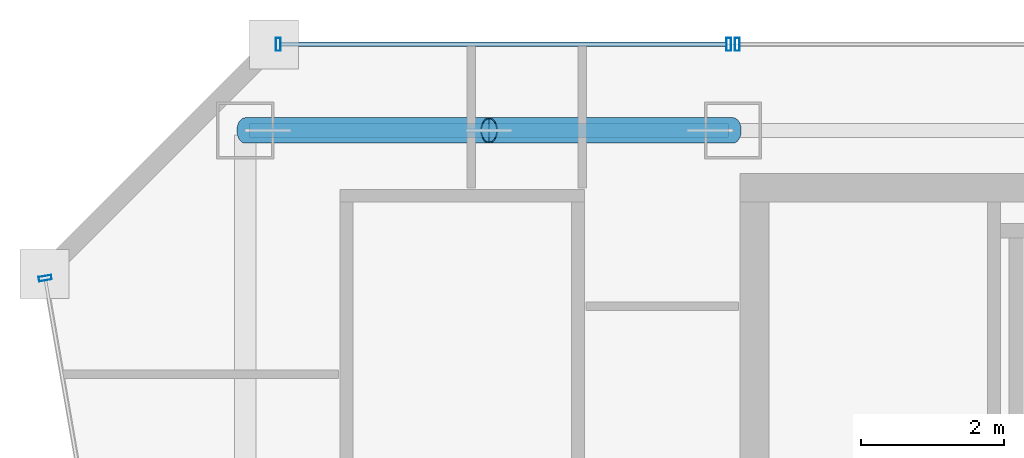
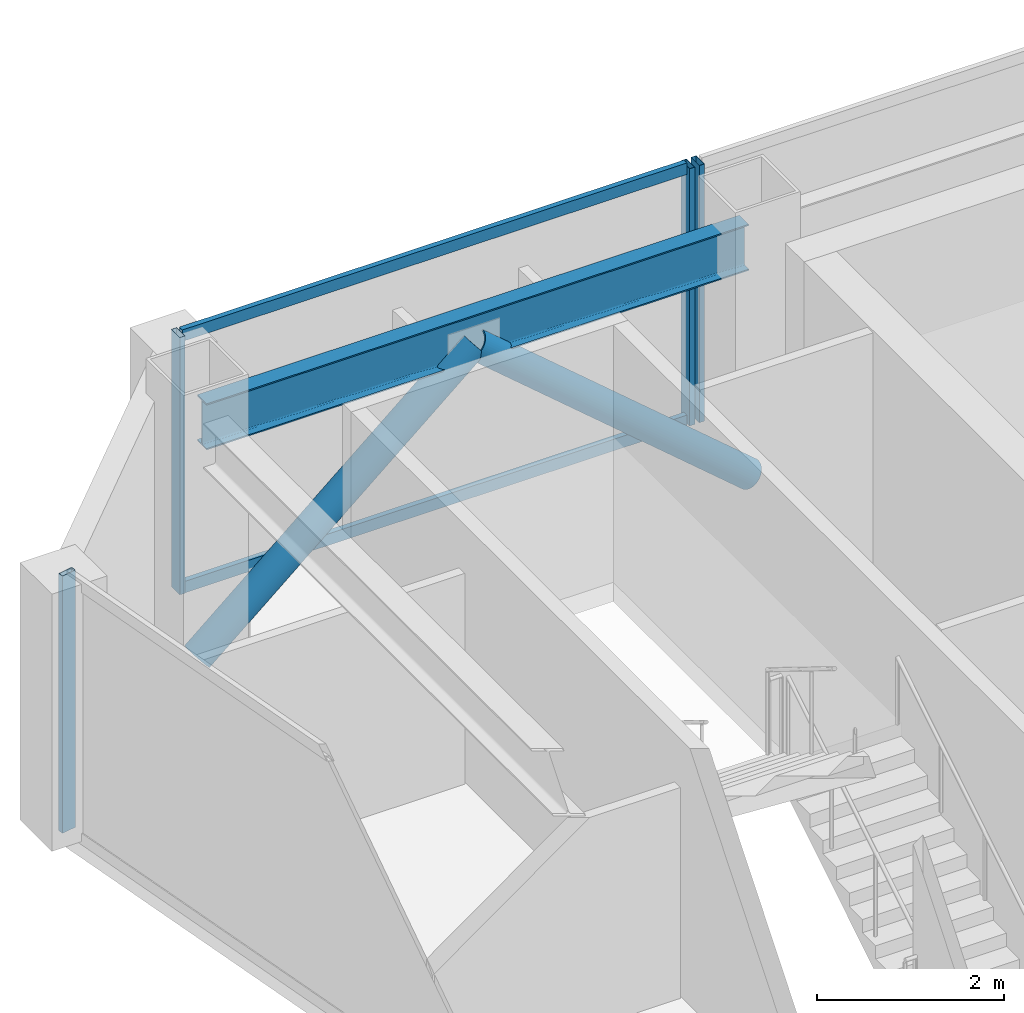
# One storey, part 21 of 35: 8 members, 1 beam, 3 elements without a shape of their own.
"""IFC4 building model written with IfcOpenShell, lengths in metres."""

from ifc_helpers import new_model, si_unit, direction, frame, origin, origin_2d, place, context, subcontext, project, spatial, hollow_rectangle, hollow_circle, i_section, extrude, material, material_profile, profile_set, type_object, element, aggregate, save


model = new_model("IFC4")

# Units and contexts
model_context = context("Model", 3, precision=1e-05, world=origin(), true_north=direction((0.0, 1.0)))
body_context = subcontext(model_context, "Body", "Model", "MODEL_VIEW")
ifc_project = project(units=[si_unit("LENGTHUNIT", "METRE"), si_unit("AREAUNIT", "SQUARE_METRE"), si_unit("VOLUMEUNIT", "CUBIC_METRE"), si_unit("PLANEANGLEUNIT", "RADIAN"), si_unit("MASSUNIT", "GRAM", prefix="KILO")], contexts=[model_context])

# Site, building, storey
site_placement = place(None, origin())
site = spatial("IfcSite", under=ifc_project, at=site_placement, CompositionType="ELEMENT")
building_placement = place(site_placement, origin())
building = spatial("IfcBuilding", under=site, at=building_placement, Name="Saevonmaru Cultural Tower", CompositionType="ELEMENT")
storey_placement = place(building_placement, frame((0.0, 0.0, 249.60009765625)))
storey = spatial("IfcBuildingStorey", under=building, at=storey_placement, Name="L58", CompositionType="ELEMENT", Elevation=249.60009765625)

# Beam
ifc_material_1 = material(Name="Steel SM355", Category="steel")
ifc_material_profile_1 = material_profile(ifc_material_1, i_section(OverallWidth=0.199951171875, OverallDepth=0.60009765625, WebThickness=0.010986328125, FlangeThickness=0.01708984375, FilletRadius=0.02197265625, at=origin_2d()), Name="H-600x200x11x17")
ifc_profile_set_1 = profile_set([ifc_material_profile_1], Name="Steel SM355")
beam_type = type_object("IfcBeamType", Name="BM-SP-H600", PredefinedType="SPANDREL", material=ifc_profile_set_1)
beam_placement = place(storey_placement, frame((6.860107421875, 54.800048828125, 3.0498046875), z_axis=(1.0, 0.0, 0.0), x_axis=(0.0, 1.0, 0.0)))
element("IfcBeam", 1, at=beam_placement, inside=storey, type_object=beam_type, Name="L58 North Spine Girder 1", PredefinedType="SPANDREL", context=body_context, shape_type="SweptSolid", body=[
    extrude(i_section(OverallWidth=0.199951171875, OverallDepth=0.60009765625, WebThickness=0.010986328125, FlangeThickness=0.01708984375, FilletRadius=0.02197265625, at=origin_2d()), origin(), (0.0, 0.0, 1.0), 6.679931640625),
])

# Members
ifc_material_profile_2 = material_profile(ifc_material_1, hollow_circle(Radius=0.177734375, WallThickness=0.01611328125, at=origin_2d()), Name="CHS-355.6x16")
ifc_profile_set_2 = profile_set([ifc_material_profile_2], Name="Steel SM355")
member_type_1 = type_object("IfcMemberType", Name="MB-PBR-CHS356", PredefinedType="BRACE", material=ifc_profile_set_2)
for number, where, z_axis, x_axis, name in (
    (2, (6.800048828125, 54.800048828125, 0.02001953125), (0.760835538728, 0.0, 0.648944745728), (0.0, 1.0, 0.0), "L58 Perimeter Braced-Tube Diagonal WN1"),
    (3, (13.60009765625, 54.800048828125, 0.02001953125), (-0.760858545345, 0.0, 0.648917771351), (0.0, -1.0, 0.0), "L58 Perimeter Braced-Tube Diagonal WN2"),
):
    element("IfcMember", number, at=place(storey_placement, frame(where, z_axis=z_axis, x_axis=x_axis)), inside=storey, type_object=member_type_1, Name=name, PredefinedType="BRACE", context=body_context, shape_type="SweptSolid", body=[
        extrude(hollow_circle(Radius=0.177734375, WallThickness=0.01611328125, at=origin_2d()), origin(), (0.0, 0.0, 1.0), 4.46875),
    ])

# Curtain wall, member
ifc_material_2 = material(Name="Satin Bronze Anodised Aluminium", Category="aluminium")
curtain_wall_type = type_object("IfcCurtainWallType", Name="CW-TYP-B", PredefinedType="NOTDEFINED", material=ifc_material_2)
curtain_wall_1_placement = place(storey_placement, origin())
curtain_wall_1 = element("IfcCurtainWall", 4, at=curtain_wall_1_placement, inside=storey, type_object=curtain_wall_type, Name="L58 North Spine Unitised Curtain Wall E10B", PredefinedType="NOTDEFINED")
ifc_material_profile_3 = material_profile(ifc_material_2, hollow_rectangle(XDim=0.06494140625, YDim=0.179931640625, WallThickness=0.00390625, at=origin_2d()), Name="ALU-MULL-180x65x4")
ifc_profile_set_3 = profile_set([ifc_material_profile_3], Name="Satin Bronze Anodised Aluminium")
member_type_2 = type_object("IfcMemberType", Name="ML-CW-180x65", PredefinedType="MULLION", material=ifc_profile_set_3)
member_1_placement = place(storey_placement, frame((13.659912109375, 56.0, 0.0), z_axis=(0.0, 0.0, 1.0), x_axis=(-1.0, 0.0, 0.0)))
member_1 = element("IfcMember", 5, at=member_1_placement, type_object=member_type_2, Name="CW-TW-L58-E10B mullion 4", PredefinedType="MULLION", context=body_context, shape_type="SweptSolid", body=[
    extrude(hollow_rectangle(XDim=0.06494140625, YDim=0.179931640625, WallThickness=0.00390625, at=origin_2d()), origin(), (0.0, 0.0, 1.0), 3.349853515625),
])
aggregate(curtain_wall_1, [member_1])

# Curtain wall, members
curtain_wall_2_placement = place(storey_placement, origin())
curtain_wall_2 = element("IfcCurtainWall", 6, at=curtain_wall_2_placement, inside=storey, type_object=curtain_wall_type, Name="L58 West Braced Bay Spandrel Curtain Wall E10C", PredefinedType="NOTDEFINED")
member_2_placement = place(storey_placement, frame((13.5400390625, 56.0, 0.0), z_axis=(0.0, 0.0, 1.0), x_axis=(-1.0, 0.0, 0.0)))
member_2 = element("IfcMember", 7, at=member_2_placement, type_object=member_type_2, Name="CW-TW-L58-E10C mullion 1", PredefinedType="MULLION", context=body_context, shape_type="SweptSolid", body=[
    extrude(hollow_rectangle(XDim=0.06494140625, YDim=0.179931640625, WallThickness=0.00390625, at=origin_2d()), origin(), (0.0, 0.0, 1.0), 3.349853515625),
])
member_3_placement = place(storey_placement, frame((7.260009765625, 56.0, 0.0), z_axis=(0.0, 0.0, 1.0), x_axis=(-1.0, 0.0, 0.0)))
member_3 = element("IfcMember", 8, at=member_3_placement, type_object=member_type_2, Name="CW-TW-L58-E10C mullion 2", PredefinedType="MULLION", context=body_context, shape_type="SweptSolid", body=[
    extrude(hollow_rectangle(XDim=0.06494140625, YDim=0.179931640625, WallThickness=0.00390625, at=origin_2d()), origin(), (0.0, 0.0, 1.0), 3.349853515625),
])

# Curtain wall, member
curtain_wall_3_placement = place(storey_placement, origin())
curtain_wall_3 = element("IfcCurtainWall", 9, at=curtain_wall_3_placement, inside=storey, type_object=curtain_wall_type, Name="L58 Unitised Curtain Wall E12", PredefinedType="NOTDEFINED")
member_4_placement = place(storey_placement, frame((4.01025390625, 52.740966796875, 0.0), z_axis=(0.0, 0.0, 1.0), x_axis=(0.170790369887, -0.985307388359, 0.0)))
member_4 = element("IfcMember", 10, at=member_4_placement, type_object=member_type_2, Name="CW-TW-L58-E12 mullion 1", PredefinedType="MULLION", context=body_context, shape_type="SweptSolid", body=[
    extrude(hollow_rectangle(XDim=0.06494140625, YDim=0.179931640625, WallThickness=0.00390625, at=origin_2d()), origin(), (0.0, 0.0, 1.0), 3.349853515625),
])
aggregate(curtain_wall_3, [member_4])

# Member
ifc_material_profile_4 = material_profile(ifc_material_2, hollow_rectangle(XDim=0.06494140625, YDim=0.14990234375, WallThickness=0.00390625, at=origin_2d()), Name="ALU-TRAN-150x65x4")
ifc_profile_set_4 = profile_set([ifc_material_profile_4], Name="Satin Bronze Anodised Aluminium")
member_type_3 = type_object("IfcMemberType", Name="TR-CW-150x65", PredefinedType="USERDEFINED", material=ifc_profile_set_4)
member_5_placement = place(storey_placement, frame((13.507568359375, 56.0, 0.032470703125), z_axis=(-1.0, 0.0, 0.0), x_axis=(0.0, -1.0, 0.0)))
member_5 = element("IfcMember", 11, at=member_5_placement, type_object=member_type_3, Name="CW-TW-L58-E10C transom 1.1", ObjectType="TRANSOM", PredefinedType="USERDEFINED", context=body_context, shape_type="SweptSolid", body=[
    extrude(hollow_rectangle(XDim=0.06494140625, YDim=0.14990234375, WallThickness=0.00390625, at=origin_2d()), origin(), (0.0, 0.0, 1.0), 6.215087890625),
])

member_6_placement = place(storey_placement, frame((13.507568359375, 56.0, 3.3173828125), z_axis=(-1.0, 0.0, 0.0), x_axis=(0.0, -1.0, 0.0)))
member_6 = element("IfcMember", 12, at=member_6_placement, type_object=member_type_3, Name="CW-TW-L58-E10C transom 1.2", ObjectType="TRANSOM", PredefinedType="USERDEFINED", context=body_context, shape_type="SweptSolid", body=[
    extrude(hollow_rectangle(XDim=0.06494140625, YDim=0.14990234375, WallThickness=0.00390625, at=origin_2d()), origin(), (0.0, 0.0, 1.0), 6.215087890625),
])

aggregate(curtain_wall_2, [member_2, member_3, member_5, member_6])

save(model, "model.ifc")
